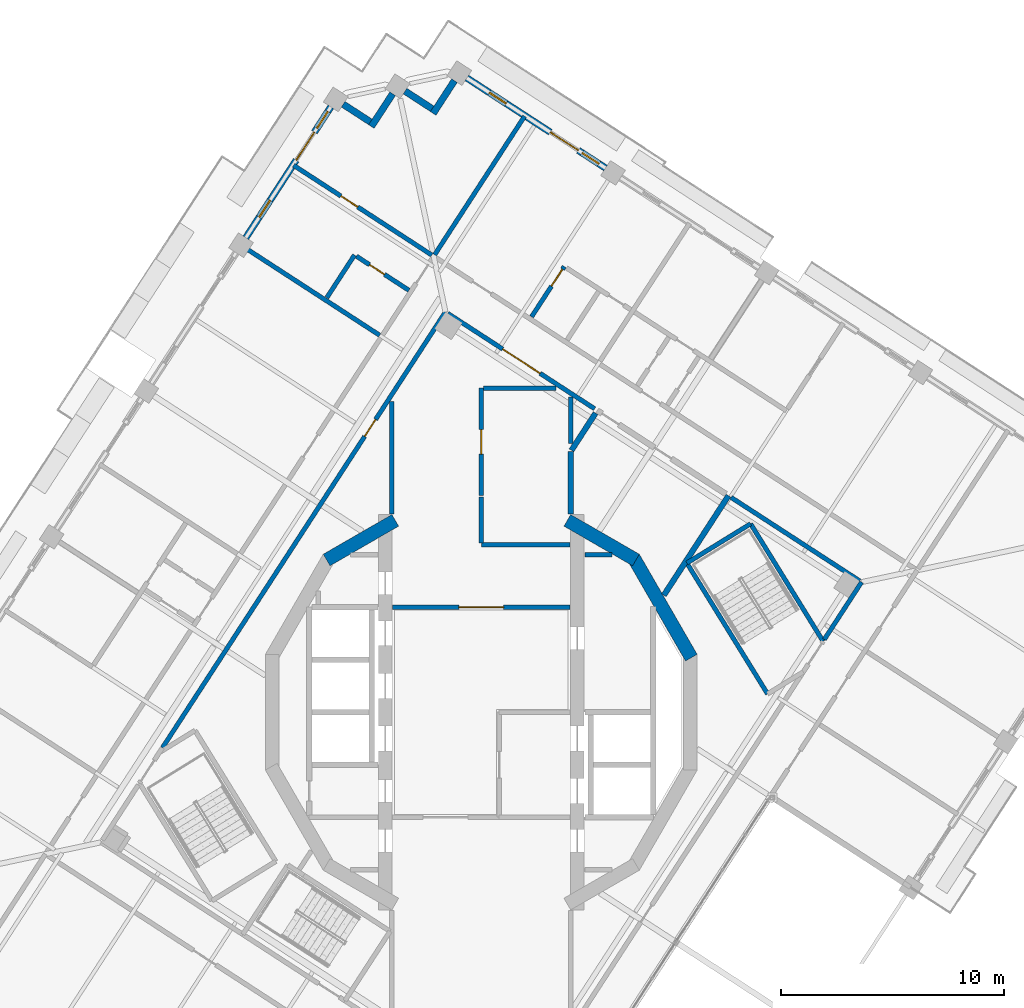
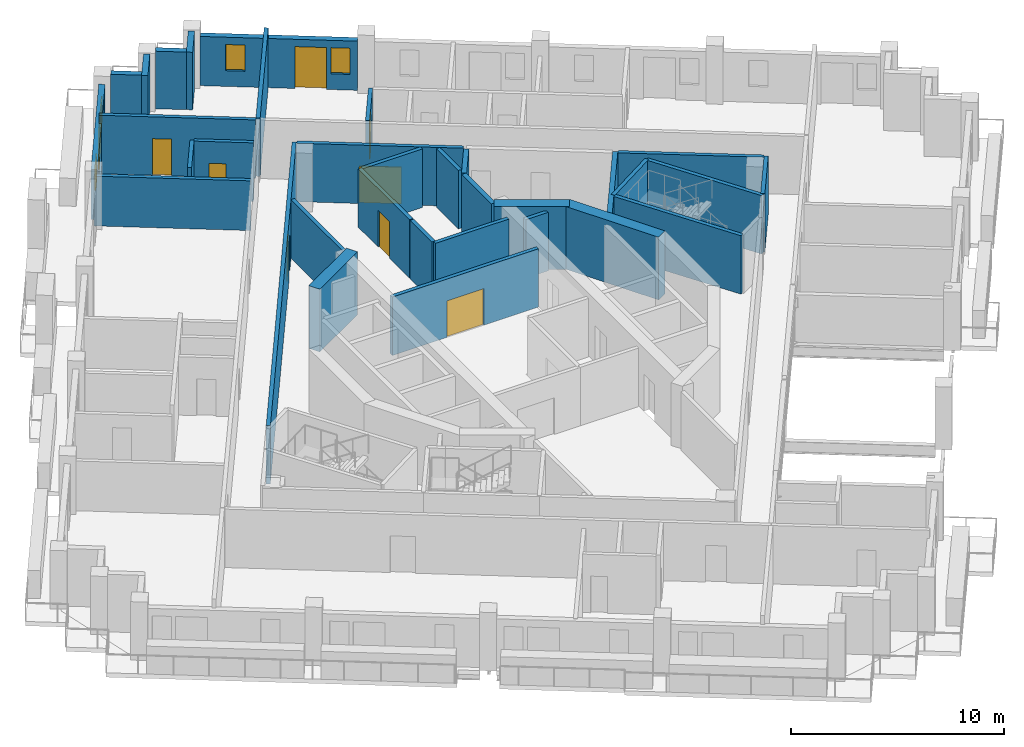
# One storey, part 9 of 17: 33 walls, 9 doors, 4 windows, 13 openings.
"""IFC4 building model written with IfcOpenShell, lengths in metres."""

from ifc_helpers import new_model, si_unit, direction, frame, frame_2d, origin, place, context, subcontext, project, spatial, rectangle, extrude, material, layer, layer_set, type_object, element, fill, save


model = new_model("IFC4")

# Units and contexts
model_context = context("Model", 3, precision=1e-05, world=origin(), true_north=direction((0.0, 1.0)))
body_context = subcontext(model_context, "Body", "Model", "MODEL_VIEW")
ifc_project = project(units=[si_unit("LENGTHUNIT", "METRE"), si_unit("AREAUNIT", "SQUARE_METRE"), si_unit("VOLUMEUNIT", "CUBIC_METRE"), si_unit("PLANEANGLEUNIT", "RADIAN"), si_unit("MASSUNIT", "GRAM", prefix="KILO")], contexts=[model_context])

# Site, building, storey
site_placement = place(None, origin())
site = spatial("IfcSite", under=ifc_project, at=site_placement, CompositionType="ELEMENT")
building_placement = place(site_placement, origin())
building = spatial("IfcBuilding", under=site, at=building_placement, Name="Cantera Rosa Tower", CompositionType="ELEMENT")
storey_placement = place(building_placement, frame((0.0, 0.0, 254.10009765625)))
storey = spatial("IfcBuildingStorey", under=building, at=storey_placement, Name="L56", CompositionType="ELEMENT", Elevation=254.10009765625)

# Wall
ifc_material_1 = material(Name="Gypsum board partition")
ifc_layer_1 = layer(ifc_material_1, 0.199951171875)
ifc_layer_set_1 = layer_set([ifc_layer_1], Name="CORRIDOR WALL 200 H3350")
wall_type_1 = type_object("IfcWallType", Name="CORRIDOR WALL 200 H3350", PredefinedType="PARTITIONING", material=ifc_layer_set_1)
wall_1_placement = place(storey_placement, frame((-4.0, 13.90087890625, 0.0), z_axis=(0.0, 0.0, 1.0), x_axis=(0.0, -1.0, 0.0)))
element("IfcWall", 1, at=wall_1_placement, inside=storey, type_object=wall_type_1, Name="CORRIDOR WALL L56-041", PredefinedType="PARTITIONING", context=body_context, shape_type="SweptSolid", body=[
    extrude(rectangle(XDim=5.02197265625, YDim=0.199951171875, at=frame_2d((2.510986328125, 0.0))), origin(), (0.0, 0.0, 1.0), 3.349853515625),
])

# Wall, opening, door
wall_2_placement = place(storey_placement, frame((-3.969970703125, 4.699951171875, 0.0), z_axis=(0.0, 0.0, 1.0), x_axis=(1.0, 0.0, 0.0)))
wall_2 = element("IfcWall", 2, at=wall_2_placement, inside=storey, type_object=wall_type_1, Name="CORRIDOR WALL L56-042", PredefinedType="PARTITIONING", context=body_context, shape_type="SweptSolid", body=[
    extrude(rectangle(XDim=7.93994140625, YDim=0.199951171875, at=frame_2d((3.969970703125, 0.0))), origin(), (0.0, 0.0, 1.0), 3.349853515625),
])
opening_1_placement = place(wall_2_placement, frame((2.969970703125, 0.0, 0.0)))
opening_1 = element("IfcOpeningElement", 3, at=opening_1_placement, cuts=wall_2, Name="Opening L56-009", PredefinedType="OPENING", context=body_context, shape_type="SweptSolid", body=[
    extrude(rectangle(XDim=2.0, YDim=2.10009765625, at=frame_2d((1.0, 1.050048828125))), frame((0.0, 0.10986328125, 0.0), z_axis=(0.0, -1.0, 0.0), x_axis=(1.0, 0.0, 0.0)), (0.0, 0.0, 1.0), 0.219970703125),
])
ifc_material_2 = material(Name="Steel S355J2 (EN 10025-2)", Category="steel")
door_type_1 = type_object("IfcDoorType", Name="LOBBY SCREEN DOOR 2000x2100", OperationType="NOTDEFINED", PredefinedType="DOOR", material=ifc_material_2)
door_1_placement = place(opening_1_placement, origin())
door_1 = element("IfcDoor", 4, at=door_1_placement, inside=storey, type_object=door_type_1, Name="DOOR L56-009", OperationType="NOTDEFINED", OverallHeight=2.10009765625, OverallWidth=2.0, PredefinedType="DOOR", context=body_context, shape_type="SweptSolid", body=[
    extrude(rectangle(XDim=2.0, YDim=2.10009765625, at=frame_2d((1.0, 1.050048828125))), frame((0.0, 0.02490234375, 0.0), z_axis=(0.0, -1.0, 0.0), x_axis=(1.0, 0.0, 0.0)), (0.0, 0.0, 1.0), 0.050048828125),
])
fill(opening_1, door_1)

wall_3_placement = place(storey_placement, frame((-1.6025390625, 17.91259765625, 0.0), z_axis=(0.0, 0.0, 1.0), x_axis=(-0.544642173362, -0.838668529871, 0.0)))
wall_3 = element("IfcWall", 5, at=wall_3_placement, inside=storey, type_object=wall_type_1, Name="CORRIDOR WALL L56-050", PredefinedType="PARTITIONING", context=body_context, shape_type="SweptSolid", body=[
    extrude(rectangle(XDim=23.255126953125, YDim=0.199951171875, at=frame_2d((11.62744140625, 0.0))), origin(), (0.0, 0.0, 1.0), 3.349853515625),
])
opening_2_placement = place(wall_3_placement, frame((5.744140625, 0.0, 0.0)))
opening_2 = element("IfcOpeningElement", 6, at=opening_2_placement, cuts=wall_3, Name="Opening L56-004", PredefinedType="OPENING", context=body_context, shape_type="SweptSolid", body=[
    extrude(rectangle(XDim=0.89990234375, YDim=2.10009765625, at=frame_2d((0.449951171875, 1.050048828125))), frame((0.0, 0.10986328125, 0.0), z_axis=(0.0, -1.0, 0.0), x_axis=(1.0, 0.0, 0.0)), (0.0, 0.0, 1.0), 0.219970703125),
])
ifc_material_3 = material(Name="Timber door leaf", Category="wood")
door_type_2 = type_object("IfcDoorType", Name="SERVICE DOOR 900x2100", OperationType="NOTDEFINED", PredefinedType="DOOR", material=ifc_material_3)
door_2_placement = place(opening_2_placement, origin())
door_2 = element("IfcDoor", 7, at=door_2_placement, inside=storey, type_object=door_type_2, Name="DOOR L56-004", OperationType="NOTDEFINED", OverallHeight=2.10009765625, OverallWidth=0.89990234375, PredefinedType="DOOR", context=body_context, shape_type="SweptSolid", body=[
    extrude(rectangle(XDim=0.89990234375, YDim=2.10009765625, at=frame_2d((0.449951171875, 1.050048828125))), frame((0.0, 0.02490234375, 0.0), z_axis=(0.0, -1.0, 0.0), x_axis=(1.0, 0.0, 0.0)), (0.0, 0.0, 1.0), 0.050048828125),
])
fill(opening_2, door_2)

# Walls
wall_4_placement = place(storey_placement, frame((0.0, 7.5, 0.0), z_axis=(0.0, 0.0, 1.0), x_axis=(1.0, 0.0, 0.0)))
element("IfcWall", 8, at=wall_4_placement, inside=storey, type_object=wall_type_1, Name="CORRIDOR WALL L56-051", PredefinedType="PARTITIONING", context=body_context, shape_type="SweptSolid", body=[
    extrude(rectangle(XDim=3.969970703125, YDim=0.199951171875, at=frame_2d((1.98486328125, 0.0))), origin(), (0.0, 0.0, 1.0), 3.349853515625),
])
wall_5_placement = place(storey_placement, frame((0.0, 9.62939453125, 0.0), z_axis=(0.0, 0.0, 1.0), x_axis=(0.0, -1.0, 0.0)))
element("IfcWall", 9, at=wall_5_placement, inside=storey, type_object=wall_type_1, Name="CORRIDOR WALL L56-052", PredefinedType="PARTITIONING", context=body_context, shape_type="SweptSolid", body=[
    extrude(rectangle(XDim=2.04931640625, YDim=0.199951171875, at=frame_2d((1.024658203125, 0.0))), origin(), (0.0, 0.0, 1.0), 3.349853515625),
])

# Wall, opening, door
wall_6_placement = place(storey_placement, frame((0.0, 14.5, 0.0), z_axis=(0.0, 0.0, 1.0), x_axis=(0.0, -1.0, 0.0)))
wall_6 = element("IfcWall", 10, at=wall_6_placement, inside=storey, type_object=wall_type_1, Name="CORRIDOR WALL L56-053", PredefinedType="PARTITIONING", context=body_context, shape_type="SweptSolid", body=[
    extrude(rectangle(XDim=4.810791015625, YDim=0.199951171875, at=frame_2d((2.4052734375, 0.0))), origin(), (0.0, 0.0, 1.0), 3.349853515625),
])
opening_3_placement = place(wall_6_placement, frame((1.85546875, 0.0, 0.0)))
opening_3 = element("IfcOpeningElement", 11, at=opening_3_placement, cuts=wall_6, Name="Opening L56-013", PredefinedType="OPENING", context=body_context, shape_type="SweptSolid", body=[
    extrude(rectangle(XDim=1.10009765625, YDim=2.10009765625, at=frame_2d((0.550048828125, 1.050048828125))), frame((0.0, 0.10986328125, 0.0), z_axis=(0.0, -1.0, 0.0), x_axis=(1.0, 0.0, 0.0)), (0.0, 0.0, 1.0), 0.219970703125),
])
ifc_material_4 = material(Name="Timber door leaf", Category="wood")
door_type_3 = type_object("IfcDoorType", Name="ROOM DOOR 1100x2100", OperationType="NOTDEFINED", PredefinedType="DOOR", material=ifc_material_4)
door_3_placement = place(opening_3_placement, origin())
door_3 = element("IfcDoor", 12, at=door_3_placement, inside=storey, type_object=door_type_3, Name="DOOR L56-013", OperationType="NOTDEFINED", OverallHeight=2.10009765625, OverallWidth=1.10009765625, PredefinedType="DOOR", context=body_context, shape_type="SweptSolid", body=[
    extrude(rectangle(XDim=1.10009765625, YDim=2.10009765625, at=frame_2d((0.550048828125, 1.050048828125))), frame((0.0, 0.02490234375, 0.0), z_axis=(0.0, -1.0, 0.0), x_axis=(1.0, 0.0, 0.0)), (0.0, 0.0, 1.0), 0.050048828125),
])
fill(opening_3, door_3)

# Wall
wall_7_placement = place(storey_placement, frame((3.33251953125, 14.5, 0.0), z_axis=(0.0, 0.0, 1.0), x_axis=(-1.0, 0.0, 0.0)))
element("IfcWall", 13, at=wall_7_placement, inside=storey, type_object=wall_type_1, Name="CORRIDOR WALL L56-063", PredefinedType="PARTITIONING", context=body_context, shape_type="SweptSolid", body=[
    extrude(rectangle(XDim=3.232421875, YDim=0.199951171875, at=frame_2d((1.6162109375, 0.0))), origin(), (0.0, 0.0, 1.0), 3.349853515625),
])

# Wall, opening, door
wall_8_placement = place(storey_placement, frame((5.0732421875, 13.577392578125, 0.0), z_axis=(0.0, 0.0, 1.0), x_axis=(-0.838668367485, 0.544642423411, 0.0)))
wall_8 = element("IfcWall", 14, at=wall_8_placement, inside=storey, type_object=wall_type_1, Name="CORRIDOR WALL L56-075", PredefinedType="PARTITIONING", context=body_context, shape_type="SweptSolid", body=[
    extrude(rectangle(XDim=7.840087890625, YDim=0.199951171875, at=frame_2d((3.919921875, 0.0))), origin(), (0.0, 0.0, 1.0), 3.349853515625),
])
opening_4_placement = place(wall_8_placement, frame((2.909912109375, 0.0, 0.0)))
opening_4 = element("IfcOpeningElement", 15, at=opening_4_placement, cuts=wall_8, Name="Opening L56-008", PredefinedType="OPENING", context=body_context, shape_type="SweptSolid", body=[
    extrude(rectangle(XDim=2.0, YDim=2.10009765625, at=frame_2d((1.0, 1.050048828125))), frame((0.0, 0.10986328125, 0.0), z_axis=(0.0, -1.0, 0.0), x_axis=(1.0, 0.0, 0.0)), (0.0, 0.0, 1.0), 0.219970703125),
])
door_4_placement = place(opening_4_placement, origin())
door_4 = element("IfcDoor", 16, at=door_4_placement, inside=storey, type_object=door_type_1, Name="DOOR L56-008", OperationType="NOTDEFINED", OverallHeight=2.10009765625, OverallWidth=2.0, PredefinedType="DOOR", context=body_context, shape_type="SweptSolid", body=[
    extrude(rectangle(XDim=2.0, YDim=2.10009765625, at=frame_2d((1.0, 1.050048828125))), frame((0.0, 0.02490234375, 0.0), z_axis=(0.0, -1.0, 0.0), x_axis=(1.0, 0.0, 0.0)), (0.0, 0.0, 1.0), 0.050048828125),
])
fill(opening_4, door_4)

# Walls
wall_9_placement = place(storey_placement, frame((15.349853515625, 3.256103515625, 0.0), z_axis=(0.0, 0.0, 1.0), x_axis=(0.544603984755, 0.838693328809, 0.0)))
element("IfcWall", 17, at=wall_9_placement, inside=storey, type_object=wall_type_1, Name="CORRIDOR WALL L56-094", PredefinedType="PARTITIONING", context=body_context, shape_type="SweptSolid", body=[
    extrude(rectangle(XDim=3.05908203125, YDim=0.199951171875, at=frame_2d((1.529541015625, 0.0))), origin(), (0.0, 0.0, 1.0), 3.349853515625),
])
wall_10_placement = place(storey_placement, frame((16.931884765625, 5.876220703125, 0.0), z_axis=(0.0, 0.0, 1.0), x_axis=(-0.838675281216, 0.544631777146, 0.0)))
element("IfcWall", 18, at=wall_10_placement, inside=storey, type_object=wall_type_1, Name="CORRIDOR WALL L56-096", PredefinedType="PARTITIONING", context=body_context, shape_type="SweptSolid", body=[
    extrude(rectangle(XDim=6.85986328125, YDim=0.199951171875, at=frame_2d((3.429931640625, 0.0))), origin(), (0.0, 0.0, 1.0), 3.349853515625),
])
ifc_material_5 = material(Name="Hollow clay masonry with cantera stone cladding", Category="masonry")
ifc_layer_2 = layer(ifc_material_5, 0.300048828125)
ifc_layer_set_2 = layer_set([ifc_layer_2], Name="EW-LOGGIA 300")
wall_type_2 = type_object("IfcWallType", Name="EW-LOGGIA 300", PredefinedType="SOLIDWALL", material=ifc_layer_set_2)
wall_11_placement = place(storey_placement, frame((-1.2001953125, 28.263427734375, 0.0), z_axis=(0.0, 0.0, 1.0), x_axis=(-0.54461563776, -0.838685761837, 0.0)))
element("IfcWall", 19, at=wall_11_placement, inside=storey, type_object=wall_type_2, Name="EN-L56-W05a", PredefinedType="SOLIDWALL", context=body_context, shape_type="SweptSolid", body=[
    extrude(rectangle(XDim=1.75, YDim=0.300048828125, at=frame_2d((0.875, 0.0))), origin(), (0.0, 0.0, 1.0), 3.2998046875),
])
wall_12_placement = place(storey_placement, frame((-2.197509765625, 27.003173828125, 0.0), z_axis=(0.0, 0.0, 1.0), x_axis=(-0.838647435384, 0.54467465438, 0.0)))
element("IfcWall", 20, at=wall_12_placement, inside=storey, type_object=wall_type_2, Name="EN-L56-W05b", PredefinedType="SOLIDWALL", context=body_context, shape_type="SweptSolid", body=[
    extrude(rectangle(XDim=1.449951171875, YDim=0.300048828125, at=frame_2d((0.72509765625, 0.0))), origin(), (0.0, 0.0, 1.0), 3.2998046875),
])
wall_13_placement = place(storey_placement, frame((-3.966796875, 27.67529296875, 0.0), z_axis=(0.0, 0.0, 1.0), x_axis=(-0.544679362749, -0.83864437743, 0.0)))
element("IfcWall", 21, at=wall_13_placement, inside=storey, type_object=wall_type_2, Name="EN-L56-W06a", PredefinedType="SOLIDWALL", context=body_context, shape_type="SweptSolid", body=[
    extrude(rectangle(XDim=1.75, YDim=0.300048828125, at=frame_2d((0.875, 0.0))), origin(), (0.0, 0.0, 1.0), 3.2998046875),
])
wall_14_placement = place(storey_placement, frame((-4.964111328125, 26.415283203125, 0.0), z_axis=(0.0, 0.0, 1.0), x_axis=(-0.838724343483, 0.544556218997, 0.0)))
element("IfcWall", 22, at=wall_14_placement, inside=storey, type_object=wall_type_2, Name="EN-L56-W06b", PredefinedType="SOLIDWALL", context=body_context, shape_type="SweptSolid", body=[
    extrude(rectangle(XDim=1.449951171875, YDim=0.300048828125, at=frame_2d((0.72509765625, 0.0))), origin(), (0.0, 0.0, 1.0), 3.2998046875),
])

# Wall, openings, windows, door
ifc_material_6 = material(Name="Hollow clay masonry with cantera stone cladding", Category="masonry")
ifc_layer_3 = layer(ifc_material_6, 0.300048828125)
ifc_layer_set_3 = layer_set([ifc_layer_3], Name="EW-LOGGIA 300 H2820")
wall_type_3 = type_object("IfcWallType", Name="EW-LOGGIA 300 H2820", PredefinedType="SOLIDWALL", material=ifc_layer_set_3)
wall_15_placement = place(storey_placement, frame((5.559326171875, 24.350830078125, 0.0), z_axis=(0.0, 0.0, 1.0), x_axis=(-0.838679465365, 0.544625333946, 0.0)))
wall_15 = element("IfcWall", 23, at=wall_15_placement, inside=storey, type_object=wall_type_3, Name="EN-L56-W04", PredefinedType="SOLIDWALL", context=body_context, shape_type="SweptSolid", body=[
    extrude(rectangle(XDim=7.400146484375, YDim=0.300048828125, at=frame_2d((3.7001953125, 0.0))), origin(), (0.0, 0.0, 1.0), 2.81982421875),
])
opening_5_placement = place(wall_15_placement, frame((0.35009765625, 0.0, 0.89990234375)))
opening_5 = element("IfcOpeningElement", 24, at=opening_5_placement, cuts=wall_15, Name="Opening L56-W10", PredefinedType="OPENING", context=body_context, shape_type="SweptSolid", body=[
    extrude(rectangle(XDim=0.89990234375, YDim=1.5, at=frame_2d((0.449951171875, 0.75))), frame((0.0, 0.159912109375, 0.0), z_axis=(0.0, -1.0, 0.0), x_axis=(1.0, 0.0, 0.0)), (0.0, 0.0, 1.0), 0.320068359375),
])
opening_6_placement = place(wall_15_placement, frame((1.449951171875, 0.0, 0.0)))
opening_6 = element("IfcOpeningElement", 25, at=opening_6_placement, cuts=wall_15, Name="Opening L56-TD11", PredefinedType="OPENING", context=body_context, shape_type="SweptSolid", body=[
    extrude(rectangle(XDim=1.5, YDim=2.39990234375, at=frame_2d((0.75, 1.199951171875))), frame((0.0, 0.159912109375, 0.0), z_axis=(0.0, -1.0, 0.0), x_axis=(1.0, 0.0, 0.0)), (0.0, 0.0, 1.0), 0.320068359375),
])
opening_7_placement = place(wall_15_placement, frame((5.300048828125, 0.0, 0.89990234375)))
opening_7 = element("IfcOpeningElement", 26, at=opening_7_placement, cuts=wall_15, Name="Opening L56-W12", PredefinedType="OPENING", context=body_context, shape_type="SweptSolid", body=[
    extrude(rectangle(XDim=0.89990234375, YDim=1.5, at=frame_2d((0.449951171875, 0.75))), frame((0.0, 0.159912109375, 0.0), z_axis=(0.0, -1.0, 0.0), x_axis=(1.0, 0.0, 0.0)), (0.0, 0.0, 1.0), 0.320068359375),
])
ifc_material_7 = material(Name="Aluminium frame with clear glass", Category="aluminium")
window_type = type_object("IfcWindowType", Name="Residential window 900x1500", PartitioningType="SINGLE_PANEL", PredefinedType="WINDOW", material=ifc_material_7)
window_1_placement = place(opening_5_placement, origin())
window_1 = element("IfcWindow", 27, at=window_1_placement, inside=storey, type_object=window_type, Name="WINDOW L56-W10", OverallHeight=1.5, OverallWidth=0.89990234375, PartitioningType="SINGLE_PANEL", PredefinedType="WINDOW", context=body_context, shape_type="SweptSolid", body=[
    extrude(rectangle(XDim=0.89990234375, YDim=1.5, at=frame_2d((0.449951171875, 0.75))), frame((0.0, 0.030029296875, 0.0), z_axis=(0.0, -1.0, 0.0), x_axis=(1.0, 0.0, 0.0)), (0.0, 0.0, 1.0), 0.06005859375),
])
fill(opening_5, window_1)
window_2_placement = place(opening_7_placement, origin())
window_2 = element("IfcWindow", 28, at=window_2_placement, inside=storey, type_object=window_type, Name="WINDOW L56-W12", OverallHeight=1.5, OverallWidth=0.89990234375, PartitioningType="SINGLE_PANEL", PredefinedType="WINDOW", context=body_context, shape_type="SweptSolid", body=[
    extrude(rectangle(XDim=0.89990234375, YDim=1.5, at=frame_2d((0.449951171875, 0.75))), frame((0.0, 0.030029296875, 0.0), z_axis=(0.0, -1.0, 0.0), x_axis=(1.0, 0.0, 0.0)), (0.0, 0.0, 1.0), 0.06005859375),
])
fill(opening_7, window_2)
ifc_material_8 = material(Name="Aluminium frame with clear glass", Category="aluminium")
door_type_4 = type_object("IfcDoorType", Name="TD-R 1500x2400", OperationType="NOTDEFINED", PredefinedType="DOOR", material=ifc_material_8)
door_5_placement = place(opening_6_placement, origin())
door_5 = element("IfcDoor", 29, at=door_5_placement, inside=storey, type_object=door_type_4, Name="LOGGIA DOOR L56-TD11", OperationType="SLIDING_TO_LEFT", OverallHeight=2.39990234375, OverallWidth=1.5, PredefinedType="DOOR", context=body_context, shape_type="SweptSolid", body=[
    extrude(rectangle(XDim=1.5, YDim=2.39990234375, at=frame_2d((0.75, 1.199951171875))), frame((0.0, 0.02490234375, 0.0), z_axis=(0.0, -1.0, 0.0), x_axis=(1.0, 0.0, 0.0)), (0.0, 0.0, 1.0), 0.050048828125),
])
fill(opening_6, door_5)

ifc_material_9 = material(Name="Hollow clay masonry with cantera stone cladding", Category="masonry")
ifc_layer_4 = layer(ifc_material_9, 0.300048828125)
ifc_layer_set_4 = layer_set([ifc_layer_4], Name="EW-LOGGIA 300 H2890")
wall_type_4 = type_object("IfcWallType", Name="EW-LOGGIA 300 H2890", PredefinedType="SOLIDWALL", material=ifc_layer_set_4)
wall_16_placement = place(storey_placement, frame((-6.7333984375, 27.08740234375, 0.0), z_axis=(0.0, 0.0, 1.0), x_axis=(-0.544651451949, -0.838662504164, 0.0)))
wall_16 = element("IfcWall", 30, at=wall_16_placement, inside=storey, type_object=wall_type_4, Name="EN-L56-W07", PredefinedType="SOLIDWALL", context=body_context, shape_type="SweptSolid", body=[
    extrude(rectangle(XDim=6.980224609375, YDim=0.300048828125, at=frame_2d((3.490234375, 0.0))), origin(), (0.0, 0.0, 1.0), 2.889892578125),
])
opening_8_placement = place(wall_16_placement, frame((0.2451171875, 0.0, 0.89990234375)))
opening_8 = element("IfcOpeningElement", 31, at=opening_8_placement, cuts=wall_16, Name="Opening L56-W13", PredefinedType="OPENING", context=body_context, shape_type="SweptSolid", body=[
    extrude(rectangle(XDim=0.89990234375, YDim=1.5, at=frame_2d((0.449951171875, 0.75))), frame((0.0, 0.159912109375, 0.0), z_axis=(0.0, -1.0, 0.0), x_axis=(1.0, 0.0, 0.0)), (0.0, 0.0, 1.0), 0.320068359375),
])
opening_9_placement = place(wall_16_placement, frame((1.344970703125, 0.0, 0.0)))
opening_9 = element("IfcOpeningElement", 32, at=opening_9_placement, cuts=wall_16, Name="Opening L56-TD14", PredefinedType="OPENING", context=body_context, shape_type="SweptSolid", body=[
    extrude(rectangle(XDim=1.5, YDim=2.39990234375, at=frame_2d((0.75, 1.199951171875))), frame((0.0, 0.159912109375, 0.0), z_axis=(0.0, -1.0, 0.0), x_axis=(1.0, 0.0, 0.0)), (0.0, 0.0, 1.0), 0.320068359375),
])
opening_10_placement = place(wall_16_placement, frame((4.985107421875, 0.0, 0.89990234375)))
opening_10 = element("IfcOpeningElement", 33, at=opening_10_placement, cuts=wall_16, Name="Opening L56-W15", PredefinedType="OPENING", context=body_context, shape_type="SweptSolid", body=[
    extrude(rectangle(XDim=0.89990234375, YDim=1.5, at=frame_2d((0.449951171875, 0.75))), frame((0.0, 0.159912109375, 0.0), z_axis=(0.0, -1.0, 0.0), x_axis=(1.0, 0.0, 0.0)), (0.0, 0.0, 1.0), 0.320068359375),
])
window_3_placement = place(opening_8_placement, origin())
window_3 = element("IfcWindow", 34, at=window_3_placement, inside=storey, type_object=window_type, Name="WINDOW L56-W13", OverallHeight=1.5, OverallWidth=0.89990234375, PartitioningType="SINGLE_PANEL", PredefinedType="WINDOW", context=body_context, shape_type="SweptSolid", body=[
    extrude(rectangle(XDim=0.89990234375, YDim=1.5, at=frame_2d((0.449951171875, 0.75))), frame((0.0, 0.030029296875, 0.0), z_axis=(0.0, -1.0, 0.0), x_axis=(1.0, 0.0, 0.0)), (0.0, 0.0, 1.0), 0.06005859375),
])
fill(opening_8, window_3)
window_4_placement = place(opening_10_placement, origin())
window_4 = element("IfcWindow", 35, at=window_4_placement, inside=storey, type_object=window_type, Name="WINDOW L56-W15", OverallHeight=1.5, OverallWidth=0.89990234375, PartitioningType="SINGLE_PANEL", PredefinedType="WINDOW", context=body_context, shape_type="SweptSolid", body=[
    extrude(rectangle(XDim=0.89990234375, YDim=1.5, at=frame_2d((0.449951171875, 0.75))), frame((0.0, 0.030029296875, 0.0), z_axis=(0.0, -1.0, 0.0), x_axis=(1.0, 0.0, 0.0)), (0.0, 0.0, 1.0), 0.06005859375),
])
fill(opening_10, window_4)
door_6_placement = place(opening_9_placement, origin())
door_6 = element("IfcDoor", 36, at=door_6_placement, inside=storey, type_object=door_type_4, Name="LOGGIA DOOR L56-TD14", OperationType="SLIDING_TO_LEFT", OverallHeight=2.39990234375, OverallWidth=1.5, PredefinedType="DOOR", context=body_context, shape_type="SweptSolid", body=[
    extrude(rectangle(XDim=1.5, YDim=2.39990234375, at=frame_2d((0.75, 1.199951171875))), frame((0.0, 0.02490234375, 0.0), z_axis=(0.0, -1.0, 0.0), x_axis=(1.0, 0.0, 0.0)), (0.0, 0.0, 1.0), 0.050048828125),
])
fill(opening_9, door_6)

# Wall
ifc_material_10 = material(Name="Gypsum board partition")
ifc_layer_5 = layer(ifc_material_10, 0.199951171875)
ifc_layer_set_5 = layer_set([ifc_layer_5], Name="PARTITION 200 H3350")
wall_type_5 = type_object("IfcWallType", Name="PARTITION 200 H3350", PredefinedType="PARTITIONING", material=ifc_layer_set_5)
wall_17_placement = place(storey_placement, frame((-6.91357421875, 18.547607421875, 0.0), z_axis=(0.0, 0.0, 1.0), x_axis=(0.544578054805, 0.838710165805, 0.0)))
element("IfcWall", 37, at=wall_17_placement, inside=storey, type_object=wall_type_5, Name="PARTITION L56-029", PredefinedType="PARTITIONING", context=body_context, shape_type="SweptSolid", body=[
    extrude(rectangle(XDim=2.280029296875, YDim=0.199951171875, at=frame_2d((1.14013671875, 0.0))), origin(), (0.0, 0.0, 1.0), 3.349853515625),
])

# Wall, opening, door
wall_18_placement = place(storey_placement, frame((-5.587890625, 20.405517578125, 0.0), z_axis=(0.0, 0.0, 1.0), x_axis=(0.838656694237, -0.544660398056, 0.0)))
wall_18 = element("IfcWall", 38, at=wall_18_placement, inside=storey, type_object=wall_type_5, Name="PARTITION L56-033", PredefinedType="PARTITIONING", context=body_context, shape_type="SweptSolid", body=[
    extrude(rectangle(XDim=2.80029296875, YDim=0.199951171875, at=frame_2d((1.400146484375, 0.0))), origin(), (0.0, 0.0, 1.0), 3.349853515625),
])
opening_11_placement = place(wall_18_placement, frame((0.699951171875, 0.0, 0.0)))
opening_11 = element("IfcOpeningElement", 39, at=opening_11_placement, cuts=wall_18, Name="Opening L56-034", PredefinedType="OPENING", context=body_context, shape_type="SweptSolid", body=[
    extrude(rectangle(XDim=0.800048828125, YDim=2.10009765625, at=frame_2d((0.39990234375, 1.050048828125))), frame((0.0, 0.10986328125, 0.0), z_axis=(0.0, -1.0, 0.0), x_axis=(1.0, 0.0, 0.0)), (0.0, 0.0, 1.0), 0.219970703125),
])
ifc_material_11 = material(Name="Timber door leaf", Category="wood")
door_type_5 = type_object("IfcDoorType", Name="BATHROOM DOOR 800x2100", OperationType="NOTDEFINED", PredefinedType="DOOR", material=ifc_material_11)
door_7_placement = place(opening_11_placement, origin())
door_7 = element("IfcDoor", 40, at=door_7_placement, inside=storey, type_object=door_type_5, Name="DOOR L56-034", OperationType="NOTDEFINED", OverallHeight=2.10009765625, OverallWidth=0.800048828125, PredefinedType="DOOR", context=body_context, shape_type="SweptSolid", body=[
    extrude(rectangle(XDim=0.800048828125, YDim=2.10009765625, at=frame_2d((0.39990234375, 1.050048828125))), frame((0.0, 0.02490234375, 0.0), z_axis=(0.0, -1.0, 0.0), x_axis=(1.0, 0.0, 0.0)), (0.0, 0.0, 1.0), 0.050048828125),
])
fill(opening_11, door_7)

wall_19_placement = place(storey_placement, frame((-2.2158203125, 20.45703125, 0.0), z_axis=(0.0, 0.0, 1.0), x_axis=(-0.838656223885, 0.544661122294, 0.0)))
wall_19 = element("IfcWall", 41, at=wall_19_placement, inside=storey, type_object=wall_type_5, Name="PARTITION L56-047", PredefinedType="PARTITIONING", context=body_context, shape_type="SweptSolid", body=[
    extrude(rectangle(XDim=7.3701171875, YDim=0.199951171875, at=frame_2d((3.68505859375, 0.0))), origin(), (0.0, 0.0, 1.0), 3.349853515625),
])
opening_12_placement = place(wall_19_placement, frame((3.949951171875, 0.0, 0.0)))
opening_12 = element("IfcOpeningElement", 42, at=opening_12_placement, cuts=wall_19, Name="Opening L56-035", PredefinedType="OPENING", context=body_context, shape_type="SweptSolid", body=[
    extrude(rectangle(XDim=0.89990234375, YDim=2.10009765625, at=frame_2d((0.449951171875, 1.050048828125))), frame((0.0, 0.10986328125, 0.0), z_axis=(0.0, -1.0, 0.0), x_axis=(1.0, 0.0, 0.0)), (0.0, 0.0, 1.0), 0.219970703125),
])
ifc_material_12 = material(Name="Timber door leaf", Category="wood")
door_type_6 = type_object("IfcDoorType", Name="ROOM DOOR 900x2100", OperationType="NOTDEFINED", PredefinedType="DOOR", material=ifc_material_12)
door_8_placement = place(opening_12_placement, origin())
door_8 = element("IfcDoor", 43, at=door_8_placement, inside=storey, type_object=door_type_6, Name="DOOR L56-035", OperationType="NOTDEFINED", OverallHeight=2.10009765625, OverallWidth=0.89990234375, PredefinedType="DOOR", context=body_context, shape_type="SweptSolid", body=[
    extrude(rectangle(XDim=0.89990234375, YDim=2.10009765625, at=frame_2d((0.449951171875, 1.050048828125))), frame((0.0, 0.02490234375, 0.0), z_axis=(0.0, -1.0, 0.0), x_axis=(1.0, 0.0, 0.0)), (0.0, 0.0, 1.0), 0.050048828125),
])
fill(opening_12, door_8)

wall_20_placement = place(storey_placement, frame((2.252685546875, 17.698486328125, 0.0), z_axis=(0.0, 0.0, 1.0), x_axis=(0.544674512884, 0.838647527281, 0.0)))
wall_20 = element("IfcWall", 44, at=wall_20_placement, inside=storey, type_object=wall_type_5, Name="PARTITION L56-062", PredefinedType="PARTITIONING", context=body_context, shape_type="SweptSolid", body=[
    extrude(rectangle(XDim=2.679931640625, YDim=0.199951171875, at=frame_2d((1.33984375, 0.0))), origin(), (0.0, 0.0, 1.0), 3.349853515625),
])
opening_13_placement = place(wall_20_placement, frame((1.6298828125, 0.0, 0.0)))
opening_13 = element("IfcOpeningElement", 45, at=opening_13_placement, cuts=wall_20, Name="Opening L56-026", PredefinedType="OPENING", context=body_context, shape_type="SweptSolid", body=[
    extrude(rectangle(XDim=0.89990234375, YDim=2.10009765625, at=frame_2d((0.449951171875, 1.050048828125))), frame((0.0, 0.10986328125, 0.0), z_axis=(0.0, -1.0, 0.0), x_axis=(1.0, 0.0, 0.0)), (0.0, 0.0, 1.0), 0.219970703125),
])
door_9_placement = place(opening_13_placement, origin())
door_9 = element("IfcDoor", 46, at=door_9_placement, inside=storey, type_object=door_type_6, Name="DOOR L56-026", OperationType="NOTDEFINED", OverallHeight=2.10009765625, OverallWidth=0.89990234375, PredefinedType="DOOR", context=body_context, shape_type="SweptSolid", body=[
    extrude(rectangle(XDim=0.89990234375, YDim=2.10009765625, at=frame_2d((0.449951171875, 1.050048828125))), frame((0.0, 0.02490234375, 0.0), z_axis=(0.0, -1.0, 0.0), x_axis=(1.0, 0.0, 0.0)), (0.0, 0.0, 1.0), 0.050048828125),
])
fill(opening_13, door_9)

# Walls
wall_21_placement = place(storey_placement, frame((4.0, 14.09423828125, 0.0), z_axis=(0.0, 0.0, 1.0), x_axis=(0.0, -1.0, 0.0)))
element("IfcWall", 47, at=wall_21_placement, inside=storey, type_object=wall_type_5, Name="PARTITION L56-070", PredefinedType="PARTITIONING", context=body_context, shape_type="SweptSolid", body=[
    extrude(rectangle(XDim=2.066650390625, YDim=0.199951171875, at=frame_2d((1.033203125, 0.0))), origin(), (0.0, 0.0, 1.0), 3.349853515625),
])
wall_22_placement = place(storey_placement, frame((4.6298828125, 7.050048828125, 0.0), z_axis=(0.0, 0.0, 1.0), x_axis=(1.0, 0.0, 0.0)))
element("IfcWall", 48, at=wall_22_placement, inside=storey, type_object=wall_type_5, Name="PARTITION L56-073", PredefinedType="PARTITIONING", context=body_context, shape_type="SweptSolid", body=[
    extrude(rectangle(XDim=1.2177734375, YDim=0.199951171875, at=frame_2d((0.60888671875, 0.0))), origin(), (0.0, 0.0, 1.0), 3.349853515625),
])
ifc_material_13 = material(Name="Gypsum board partition")
ifc_layer_6 = layer(ifc_material_13, 0.199951171875)
ifc_layer_set_6 = layer_set([ifc_layer_6], Name="PARTY WALL 200 H2850")
wall_type_6 = type_object("IfcWallType", Name="PARTY WALL 200 H2850", PredefinedType="PARTITIONING", material=ifc_layer_set_6)
wall_23_placement = place(storey_placement, frame((-10.727783203125, 20.881591796875, 0.0), z_axis=(0.0, 0.0, 1.0), x_axis=(0.838671355338, -0.544637822535, 0.0)))
element("IfcWall", 49, at=wall_23_placement, inside=storey, type_object=wall_type_6, Name="PARTY WALL L56-018", PredefinedType="PARTITIONING", context=body_context, shape_type="SweptSolid", body=[
    extrude(rectangle(XDim=7.369873046875, YDim=0.199951171875, at=frame_2d((3.68505859375, 0.0))), origin(), (0.0, 0.0, 1.0), 2.849853515625),
])
ifc_material_14 = material(Name="Gypsum board partition")
ifc_layer_7 = layer(ifc_material_14, 0.199951171875)
ifc_layer_set_7 = layer_set([ifc_layer_7], Name="PARTY WALL 200 H3350")
wall_type_7 = type_object("IfcWallType", Name="PARTY WALL 200 H3350", PredefinedType="PARTITIONING", material=ifc_layer_set_7)
wall_24_placement = place(storey_placement, frame((-2.08837890625, 20.4697265625, 0.0), z_axis=(0.0, 0.0, 1.0), x_axis=(0.544642261206, 0.838668472824, 0.0)))
element("IfcWall", 50, at=wall_24_placement, inside=storey, type_object=wall_type_7, Name="PARTY WALL L56-048", PredefinedType="PARTITIONING", context=body_context, shape_type="SweptSolid", body=[
    extrude(rectangle(XDim=7.389892578125, YDim=0.199951171875, at=frame_2d((3.69482421875, 0.0))), origin(), (0.0, 0.0, 1.0), 3.349853515625),
])
ifc_material_15 = material(Name="Concrete C50/60", Category="concrete")
ifc_layer_8 = layer(ifc_material_15, 0.60009765625)
ifc_layer_set_8 = layer_set([ifc_layer_8], Name="RC CORE WALL 600 C50/60")
wall_type_8 = type_object("IfcWallType", Name="RC CORE WALL 600 C50/60", PredefinedType="SHEAR", material=ifc_layer_set_8)
for number, where, z_axis, x_axis, name in (
    (51, (-6.921142578125, 6.811279296875, 0.0), (0.0, 0.0, 1.0), (0.866039982607, 0.499974747889, 0.0), "CW-W5 L56"),
    (52, (3.85009765625, 8.584228515625, 0.0), (0.0, 0.0, 1.0), (0.866039982607, -0.499974747889, 0.0), "CW-E1 L56"),
):
    element("IfcWall", number, at=place(storey_placement, frame(where, z_axis=z_axis, x_axis=x_axis)), inside=storey, type_object=wall_type_8, Name=name, PredefinedType="SHEAR", context=body_context, shape_type="SweptSolid", body=[
        extrude(rectangle(XDim=3.546142578125, YDim=0.60009765625, at=frame_2d((1.77294921875, 0.0))), origin(), (0.0, 0.0, 1.0), 3.599853515625),
    ])
wall_25_placement = place(storey_placement, frame((6.811279296875, 6.921142578125, 0.0), z_axis=(0.0, 0.0, 1.0), x_axis=(0.499989188378, -0.866031645787, 0.0)))
element("IfcWall", 53, at=wall_25_placement, inside=storey, type_object=wall_type_8, Name="CW-E2 L56", PredefinedType="SHEAR", context=body_context, shape_type="SweptSolid", body=[
    extrude(rectangle(XDim=5.17626953125, YDim=0.60009765625, at=frame_2d((2.588134765625, 0.0))), origin(), (0.0, 0.0, 1.0), 3.599853515625),
])
ifc_material_16 = material(Name="Masonry blockwork", Category="masonry")
ifc_layer_9 = layer(ifc_material_16, 0.25)
ifc_layer_set_9 = layer_set([ifc_layer_9], Name="SHAFT WALL 250 H3350")
wall_type_9 = type_object("IfcWallType", Name="SHAFT WALL 250 H3350", PredefinedType="SOLIDWALL", material=ifc_layer_set_9)
wall_26_placement = place(storey_placement, frame((4.0, 8.87890625, 0.0), z_axis=(0.0, 0.0, 1.0), x_axis=(0.0, 1.0, 0.0)))
element("IfcWall", 54, at=wall_26_placement, inside=storey, type_object=wall_type_9, Name="SHAFT WALL L56-068", PredefinedType="SOLIDWALL", context=body_context, shape_type="SweptSolid", body=[
    extrude(rectangle(XDim=2.788818359375, YDim=0.25, at=frame_2d((1.39453125, 0.0))), origin(), (0.0, 0.0, 1.0), 3.349853515625),
])
wall_27_placement = place(storey_placement, frame((4.03271484375, 11.718017578125, 0.0), z_axis=(0.0, 0.0, 1.0), x_axis=(0.544646988236, 0.83866540301, 0.0)))
element("IfcWall", 55, at=wall_27_placement, inside=storey, type_object=wall_type_9, Name="SHAFT WALL L56-069", PredefinedType="SOLIDWALL", context=body_context, shape_type="SweptSolid", body=[
    extrude(rectangle(XDim=1.986328125, YDim=0.25, at=frame_2d((0.9931640625, 0.0))), origin(), (0.0, 0.0, 1.0), 3.349853515625),
])
wall_28_placement = place(storey_placement, frame((8.167236328125, 5.232421875, 0.0), z_axis=(0.0, 0.0, 1.0), x_axis=(0.544650772674, 0.838662945303, 0.0)))
element("IfcWall", 56, at=wall_28_placement, inside=storey, type_object=wall_type_9, Name="SHAFT WALL L56-083", PredefinedType="SOLIDWALL", context=body_context, shape_type="SweptSolid", body=[
    extrude(rectangle(XDim=5.3134765625, YDim=0.25, at=frame_2d((2.65673828125, 0.0))), origin(), (0.0, 0.0, 1.0), 3.349853515625),
])
ifc_material_17 = material(Name="Concrete C50/60", Category="concrete")
ifc_layer_10 = layer(ifc_material_17, 0.199951171875)
ifc_layer_set_10 = layer_set([ifc_layer_10], Name="STAIR WALL 200 H3350")
wall_type_10 = type_object("IfcWallType", Name="STAIR WALL 200 H3350", PredefinedType="SOLIDWALL", material=ifc_layer_set_10)
wall_29_placement = place(storey_placement, frame((9.199462890625, 6.674072265625, 0.0), z_axis=(0.0, 0.0, 1.0), x_axis=(0.85113993661, 0.524938861495, 0.0)))
element("IfcWall", 57, at=wall_29_placement, inside=storey, type_object=wall_type_10, Name="STAIR WALL L56-085", PredefinedType="SOLIDWALL", context=body_context, shape_type="SweptSolid", body=[
    extrude(rectangle(XDim=3.35009765625, YDim=0.199951171875, at=frame_2d((1.675048828125, 0.0))), origin(), (0.0, 0.0, 1.0), 3.349853515625),
])
wall_30_placement = place(storey_placement, frame((9.199462890625, 6.674072265625, 0.0), z_axis=(0.0, 0.0, 1.0), x_axis=(0.524972254536, -0.851119340614, 0.0)))
element("IfcWall", 58, at=wall_30_placement, inside=storey, type_object=wall_type_10, Name="STAIR WALL L56-086", PredefinedType="SOLIDWALL", context=body_context, shape_type="SweptSolid", body=[
    extrude(rectangle(XDim=6.880126953125, YDim=0.199951171875, at=frame_2d((3.43994140625, 0.0))), origin(), (0.0, 0.0, 1.0), 3.349853515625),
])
wall_31_placement = place(storey_placement, frame((12.05078125, 8.4326171875, 0.0), z_axis=(0.0, 0.0, 1.0), x_axis=(0.524983142341, -0.851112624896, 0.0)))
element("IfcWall", 59, at=wall_31_placement, inside=storey, type_object=wall_type_10, Name="STAIR WALL L56-089", PredefinedType="SOLIDWALL", context=body_context, shape_type="SweptSolid", body=[
    extrude(rectangle(XDim=6.180419921875, YDim=0.199951171875, at=frame_2d((3.09033203125, 0.0))), origin(), (0.0, 0.0, 1.0), 3.349853515625),
])

save(model, "model.ifc")
